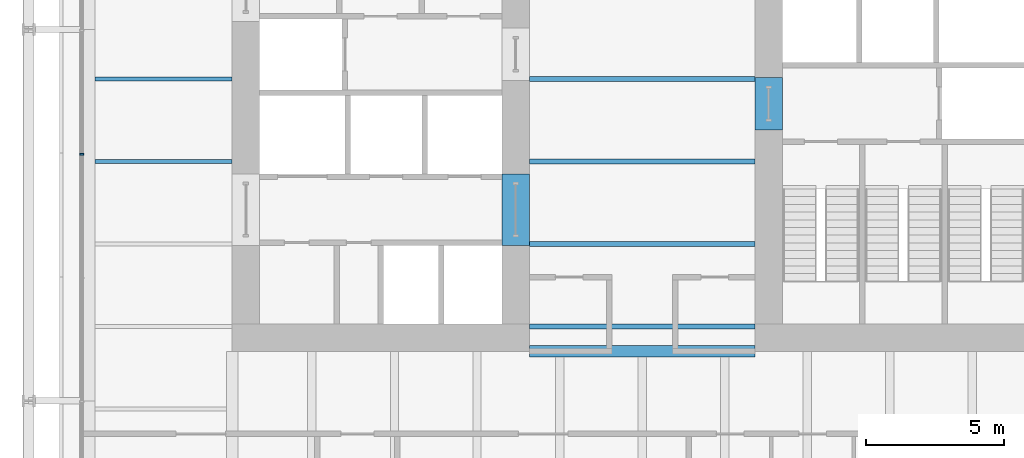
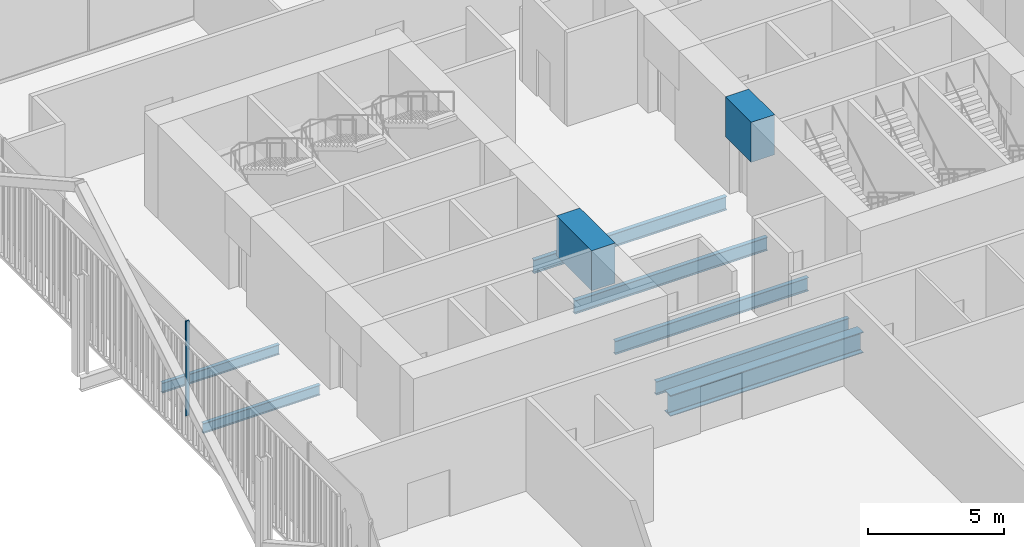
# One storey, part 7 of 21: 9 beams, 1 member, 1 element without a shape of its own.
"""IFC4 building model written with IfcOpenShell, lengths in metres."""

from ifc_helpers import new_model, si_unit, direction, frame, origin, origin_2d, place, context, subcontext, project, spatial, rectangle, i_section, extrude, material, layer, layer_set, material_profile, profile_set, type_object, element, aggregate, save


model = new_model("IFC4")

# Units and contexts
model_context = context("Model", 3, precision=1e-05, world=origin(), true_north=direction((0.0, 1.0)))
body_context = subcontext(model_context, "Body", "Model", "MODEL_VIEW")
ifc_project = project(units=[si_unit("LENGTHUNIT", "METRE"), si_unit("AREAUNIT", "SQUARE_METRE"), si_unit("VOLUMEUNIT", "CUBIC_METRE"), si_unit("PLANEANGLEUNIT", "RADIAN"), si_unit("MASSUNIT", "GRAM", prefix="KILO")], contexts=[model_context])

# Site, building, storey
site_placement = place(None, origin())
site = spatial("IfcSite", under=ifc_project, at=site_placement, CompositionType="ELEMENT")
building_placement = place(site_placement, origin())
building = spatial("IfcBuilding", under=site, at=building_placement, Name="Millrace Tower", CompositionType="ELEMENT")
storey_placement = place(building_placement, frame((0.0, 0.0, 82.0)))
storey = spatial("IfcBuildingStorey", under=building, at=storey_placement, Name="L18", CompositionType="ELEMENT", Elevation=82.0)

# Curtain wall, member
ifc_material_1 = material(Name="Aluminium and glass", Category="aluminium")
ifc_layer = layer(ifc_material_1, 0.14990234375)
ifc_layer_set = layer_set([ifc_layer], Name="Aluminium and glass")
curtain_wall_type = type_object("IfcCurtainWallType", Name="CW-3 telecom floor curtain wall", PredefinedType="NOTDEFINED", material=ifc_layer_set)
curtain_wall_placement = place(storey_placement, origin())
curtain_wall = element("IfcCurtainWall", 1, at=curtain_wall_placement, inside=storey, type_object=curtain_wall_type, Name="Curtain wall B-F08 L18", PredefinedType="NOTDEFINED")
ifc_material_2 = material(Name="Aluminium", Category="aluminium")
ifc_material_profile_1 = material_profile(ifc_material_2, rectangle(XDim=0.06494140625, YDim=0.14990234375, at=origin_2d()))
ifc_profile_set_1 = profile_set([ifc_material_profile_1], Name="Aluminium")
member_type = type_object("IfcMemberType", Name="CW-3 telecom floor curtain wall mullion", PredefinedType="MULLION", material=ifc_profile_set_1)
member_placement = place(storey_placement, frame((-20.375, -2.732421875, 0.14990234375), z_axis=(0.0, 0.0, 1.0), x_axis=(0.0, -1.0, 0.0)))
member = element("IfcMember", 2, at=member_placement, type_object=member_type, Name="CW3 mullion B-F08.5", PredefinedType="MULLION", context=body_context, shape_type="SweptSolid", body=[
    extrude(rectangle(XDim=0.06494140625, YDim=0.14990234375, at=origin_2d()), origin(), (0.0, 0.0, 1.0), 4.25),
])
aggregate(curtain_wall, [member])

# Beams
ifc_material_3 = material(Name="Concrete C80", Category="concrete")
ifc_material_profile_2 = material_profile(ifc_material_3, rectangle(XDim=1.0, YDim=1.800048828125, at=origin_2d()))
ifc_profile_set_2 = profile_set([ifc_material_profile_2], Name="Concrete C80")
beam_type_1 = type_object("IfcBeamType", Name="Coupling beam 1000 x 1800 Concrete C80, 1300 opening", PredefinedType="BEAM", material=ifc_profile_set_2)
beam_1_placement = place(storey_placement, frame((4.60009765625, 0.050048828125, 3.300048828125), z_axis=(0.0, -1.0, 0.0), x_axis=(1.0, 0.0, 0.0)))
element("IfcBeam", 3, at=beam_1_placement, inside=storey, type_object=beam_type_1, Name="Coupling beam E L18", PredefinedType="BEAM", context=body_context, shape_type="SweptSolid", body=[
    extrude(rectangle(XDim=1.0, YDim=1.800048828125, at=origin_2d()), origin(), (0.0, 0.0, 1.0), 1.900146484375),
])
ifc_material_4 = material(Name="Concrete C80", Category="concrete")
ifc_material_profile_3 = material_profile(ifc_material_4, rectangle(XDim=1.0, YDim=1.800048828125, at=origin_2d()))
ifc_profile_set_3 = profile_set([ifc_material_profile_3], Name="Concrete C80")
beam_type_2 = type_object("IfcBeamType", Name="Coupling beam 1000 x 1800 Concrete C80, 2000 opening", PredefinedType="BEAM", material=ifc_profile_set_3)
beam_2_placement = place(storey_placement, frame((-4.60009765625, -6.050048828125, 3.300048828125), z_axis=(0.0, 1.0, 0.0), x_axis=(-1.0, 0.0, 0.0)))
element("IfcBeam", 4, at=beam_2_placement, inside=storey, type_object=beam_type_2, Name="Coupling beam W L18", PredefinedType="BEAM", context=body_context, shape_type="SweptSolid", body=[
    extrude(rectangle(XDim=1.0, YDim=1.800048828125, at=origin_2d()), origin(), (0.0, 0.0, 1.0), 2.60009765625),
])
ifc_material_5 = material(Name="Steel ASTM A992 Grade 50", Category="steel")
ifc_material_profile_4 = material_profile(ifc_material_5, i_section(OverallWidth=0.15234375, OverallDepth=0.449462890625, WebThickness=0.007568359375, FlangeThickness=0.0107421875, FilletRadius=0.01025390625, at=origin_2d()))
ifc_profile_set_4 = profile_set([ifc_material_profile_4], Name="Steel ASTM A992 Grade 50")
beam_type_3 = type_object("IfcBeamType", Name="Floor beam W18x35", PredefinedType="JOIST", material=ifc_profile_set_4)
for number, where, z_axis, x_axis, name in (
    (5, (-19.880859375, -3.0, -0.4248046875), (1.0, 0.0, 0.0), (0.0, 1.0, 0.0), "BM-B-L18-S1-S020"),
    (6, (-19.880859375, 0.0, -0.4248046875), (1.0, 0.0, 0.0), (0.0, 1.0, 0.0), "BM-B-L18-S1-S023"),
):
    element("IfcBeam", number, at=place(storey_placement, frame(where, z_axis=z_axis, x_axis=x_axis)), inside=storey, type_object=beam_type_3, Name=name, PredefinedType="JOIST", context=body_context, shape_type="SweptSolid", body=[
        extrude(i_section(OverallWidth=0.15234375, OverallDepth=0.449462890625, WebThickness=0.007568359375, FlangeThickness=0.0107421875, FilletRadius=0.01025390625, at=origin_2d()), origin(), (0.0, 0.0, 1.0), 4.98095703125),
    ])
ifc_material_6 = material(Name="Steel ASTM A992 Grade 50", Category="steel")
ifc_material_profile_5 = material_profile(ifc_material_6, i_section(OverallWidth=0.177978515625, OverallDepth=0.599365234375, WebThickness=0.010009765625, FlangeThickness=0.012939453125, FilletRadius=0.012939453125, at=origin_2d()))
ifc_profile_set_5 = profile_set([ifc_material_profile_5], Name="Steel ASTM A992 Grade 50")
beam_type_4 = type_object("IfcBeamType", Name="Floor beam W24x55", PredefinedType="JOIST", material=ifc_profile_set_5)
for number, where, z_axis, x_axis, name in (
    (7, (-4.10009765625, -9.0, -0.499755859375), (1.0, 0.0, 0.0), (0.0, 1.0, 0.0), "BM-B-L18-S1-S013"),
    (8, (-4.10009765625, -6.0, -0.499755859375), (1.0, 0.0, 0.0), (0.0, 1.0, 0.0), "BM-B-L18-S1-S016"),
    (9, (-4.10009765625, -3.0, -0.499755859375), (1.0, 0.0, 0.0), (0.0, 1.0, 0.0), "BM-B-L18-S1-S019"),
    (10, (-4.10009765625, 0.0, -0.499755859375), (1.0, 0.0, 0.0), (0.0, 1.0, 0.0), "BM-B-L18-S1-S022"),
):
    element("IfcBeam", number, at=place(storey_placement, frame(where, z_axis=z_axis, x_axis=x_axis)), inside=storey, type_object=beam_type_4, Name=name, PredefinedType="JOIST", context=body_context, shape_type="SweptSolid", body=[
        extrude(i_section(OverallWidth=0.177978515625, OverallDepth=0.599365234375, WebThickness=0.010009765625, FlangeThickness=0.012939453125, FilletRadius=0.012939453125, at=origin_2d()), origin(), (0.0, 0.0, 1.0), 8.2001953125),
    ])
ifc_material_7 = material(Name="Steel ASTM A992 Grade 50", Category="steel")
ifc_material_profile_6 = material_profile(ifc_material_7, i_section(OverallWidth=0.421630859375, OverallDepth=0.937255859375, WebThickness=0.021240234375, FlangeThickness=0.03662109375, FilletRadius=0.024169921875, at=origin_2d()))
ifc_profile_set_6 = profile_set([ifc_material_profile_6], Name="Steel ASTM A992 Grade 50")
beam_type_5 = type_object("IfcBeamType", Name="Girder short span W36x262", PredefinedType="BEAM", material=ifc_profile_set_6)
beam_3_placement = place(storey_placement, frame((-4.10009765625, -9.89990234375, -0.668701171875), z_axis=(1.0, 0.0, 0.0), x_axis=(0.0, 1.0, 0.0)))
element("IfcBeam", 11, at=beam_3_placement, inside=storey, type_object=beam_type_5, Name="BM-B-L18-S1-G063", PredefinedType="BEAM", context=body_context, shape_type="SweptSolid", body=[
    extrude(i_section(OverallWidth=0.421630859375, OverallDepth=0.937255859375, WebThickness=0.021240234375, FlangeThickness=0.03662109375, FilletRadius=0.024169921875, at=origin_2d()), origin(), (0.0, 0.0, 1.0), 8.2001953125),
])

save(model, "model.ifc")
